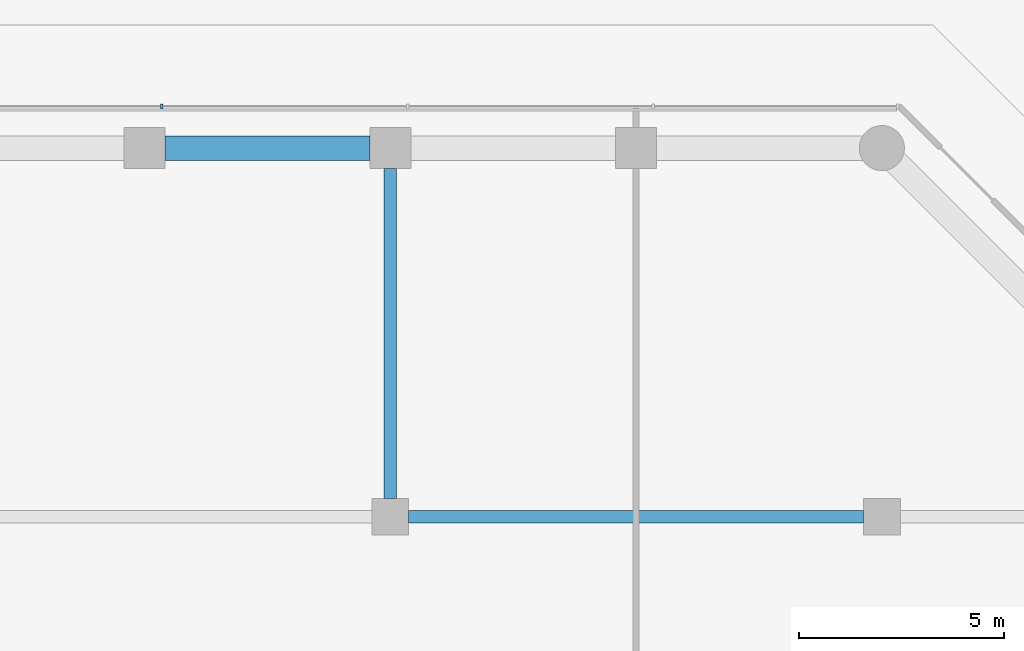
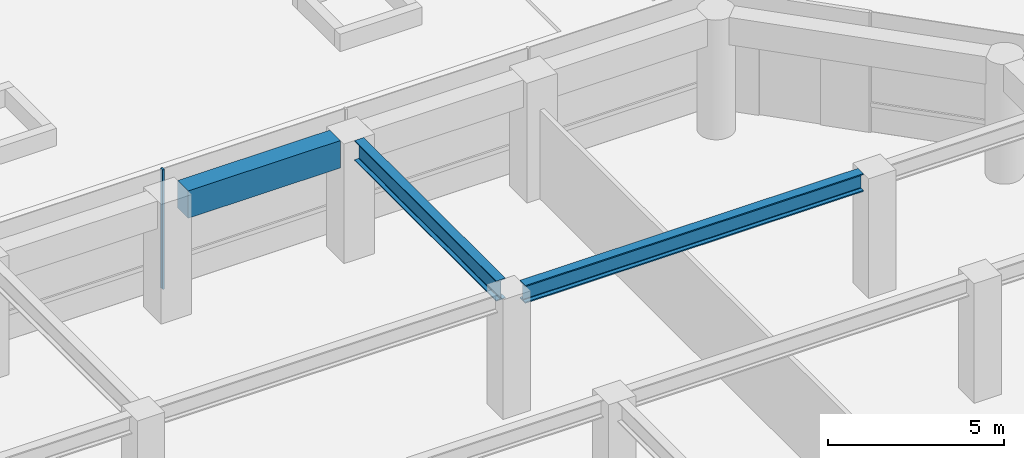
# One storey, part 8 of 31: 3 beams, 1 member, 1 element without a shape of its own.
"""IFC4 building model written with IfcOpenShell, lengths in metres."""

from ifc_helpers import new_model, si_unit, direction, frame, origin, origin_2d, place, context, subcontext, project, spatial, rectangle, i_section, extrude, material, layer, layer_set, material_profile, profile_set, type_object, element, aggregate, save


model = new_model("IFC4")

# Units and contexts
model_context = context("Model", 3, precision=1e-05, world=origin(), true_north=direction((0.0, 1.0)))
body_context = subcontext(model_context, "Body", "Model", "MODEL_VIEW")
ifc_project = project(units=[si_unit("LENGTHUNIT", "METRE"), si_unit("AREAUNIT", "SQUARE_METRE"), si_unit("VOLUMEUNIT", "CUBIC_METRE"), si_unit("PLANEANGLEUNIT", "RADIAN"), si_unit("MASSUNIT", "GRAM", prefix="KILO")], contexts=[model_context])

# Site, building, storey
site_placement = place(None, origin())
site = spatial("IfcSite", under=ifc_project, at=site_placement, CompositionType="ELEMENT")
building_placement = place(site_placement, origin())
building = spatial("IfcBuilding", under=site, at=building_placement, Name="Welwitschia Terrace Campus", CompositionType="ELEMENT")
storey_placement = place(building_placement, frame((0.0, 0.0, 11.0)))
storey = spatial("IfcBuildingStorey", under=building, at=storey_placement, Name="L02", CompositionType="ELEMENT", Elevation=11.0)

# Beam
ifc_material_1 = material(Name="Steel S355", Category="steel")
ifc_material_profile_1 = material_profile(ifc_material_1, i_section(OverallWidth=0.304931640625, OverallDepth=0.6201171875, WebThickness=0.02099609375, FlangeThickness=0.0400390625, FilletRadius=0.027099609375, at=origin_2d()))
ifc_profile_set_1 = profile_set([ifc_material_profile_1], Name="Steel S355")
beam_type_1 = type_object("IfcBeamType", Name="Interior girder HE 600 M", PredefinedType="BEAM", material=ifc_profile_set_1)
beam_1_placement = place(storey_placement, frame((48.450439453125, 11.0, 3.840087890625), z_axis=(1.0, 0.0, 0.0), x_axis=(0.0, 1.0, 0.0)))
element("IfcBeam", 1, at=beam_1_placement, inside=storey, type_object=beam_type_1, Name="Girder GB1", PredefinedType="BEAM", context=body_context, shape_type="SweptSolid", body=[
    extrude(i_section(OverallWidth=0.304931640625, OverallDepth=0.6201171875, WebThickness=0.02099609375, FlangeThickness=0.0400390625, FilletRadius=0.027099609375, at=origin_2d()), origin(), (0.0, 0.0, 1.0), 11.09912109375),
])

# Curtain wall, member
ifc_material_2 = material(Name="Bronze anodised aluminium", Category="aluminium")
ifc_layer = layer(ifc_material_2, 0.1201171875)
ifc_layer_set = layer_set([ifc_layer], Name="Bronze anodised aluminium")
curtain_wall_type = type_object("IfcCurtainWallType", Name="Curtain wall CW2 tower 6000", PredefinedType="NOTDEFINED", material=ifc_layer_set)
curtain_wall_placement = place(storey_placement, origin())
curtain_wall = element("IfcCurtainWall", 2, at=curtain_wall_placement, inside=storey, type_object=curtain_wall_type, Name="CW L02.5.0", PredefinedType="NOTDEFINED")
ifc_material_3 = material(Name="Bronze anodised aluminium", Category="aluminium")
ifc_material_profile_2 = material_profile(ifc_material_3, rectangle(XDim=0.1201171875, YDim=0.06005859375, at=origin_2d()))
ifc_profile_set_2 = profile_set([ifc_material_profile_2], Name="Bronze anodised aluminium")
member_type = type_object("IfcMemberType", Name="Mullion 60x120", PredefinedType="MULLION", material=ifc_profile_set_2)
member_placement = place(storey_placement, frame((42.422607421875, 21.02001953125, 0.0), z_axis=(0.0, 0.0, 1.0), x_axis=(0.0, -1.0, 0.0)))
member = element("IfcMember", 3, at=member_placement, type_object=member_type, Name="Mullion L02.5.0.3", PredefinedType="MULLION", context=body_context, shape_type="SweptSolid", body=[
    extrude(rectangle(XDim=0.1201171875, YDim=0.06005859375, at=origin_2d()), origin(), (0.0, 0.0, 1.0), 4.14990234375),
])
aggregate(curtain_wall, [member])

# Beams
ifc_material_4 = material(Name="Steel S355", Category="steel")
ifc_material_profile_3 = material_profile(ifc_material_4, i_section(OverallWidth=0.300048828125, OverallDepth=0.699951171875, WebThickness=0.01708984375, FlangeThickness=0.031982421875, FilletRadius=0.027099609375, at=origin_2d()))
ifc_profile_set_3 = profile_set([ifc_material_profile_3], Name="Steel S355")
beam_type_2 = type_object("IfcBeamType", Name="Primary beam HE 700 B", PredefinedType="BEAM", material=ifc_profile_set_3)
beam_2_placement = place(storey_placement, frame((48.0, 19.49951171875, 3.800048828125), z_axis=(0.0, -1.0, 0.0), x_axis=(1.0, 0.0, 0.0)))
element("IfcBeam", 4, at=beam_2_placement, inside=storey, type_object=beam_type_2, Name="Primary beam PB1", PredefinedType="BEAM", context=body_context, shape_type="SweptSolid", body=[
    extrude(i_section(OverallWidth=0.300048828125, OverallDepth=0.699951171875, WebThickness=0.01708984375, FlangeThickness=0.031982421875, FilletRadius=0.027099609375, at=origin_2d()), origin(), (0.0, 0.0, 1.0), 8.049072265625),
])
ifc_material_5 = material(Name="Concrete C60/75", Category="concrete")
ifc_material_profile_4 = material_profile(ifc_material_5, rectangle(XDim=0.60009765625, YDim=0.949951171875, at=origin_2d()))
ifc_profile_set_4 = profile_set([ifc_material_profile_4], Name="Concrete C60/75")
beam_type_3 = type_object("IfcBeamType", Name="Ring spandrel 600x950", PredefinedType="SPANDREL", material=ifc_profile_set_4)
beam_3_placement = place(storey_placement, frame((47.49951171875, 20.0, 3.675048828125), z_axis=(-1.0, 0.0, 0.0), x_axis=(0.0, -1.0, 0.0)))
element("IfcBeam", 5, at=beam_3_placement, inside=storey, type_object=beam_type_3, Name="Spandrel SP1", PredefinedType="SPANDREL", context=body_context, shape_type="SweptSolid", body=[
    extrude(rectangle(XDim=0.60009765625, YDim=0.949951171875, at=origin_2d()), origin(), (0.0, 0.0, 1.0), 4.9990234375),
])

save(model, "model.ifc")
